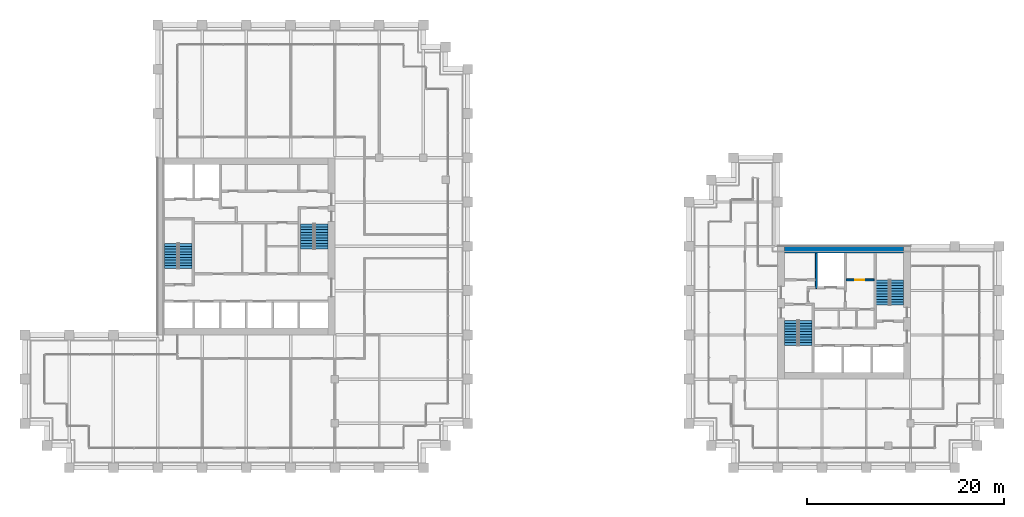
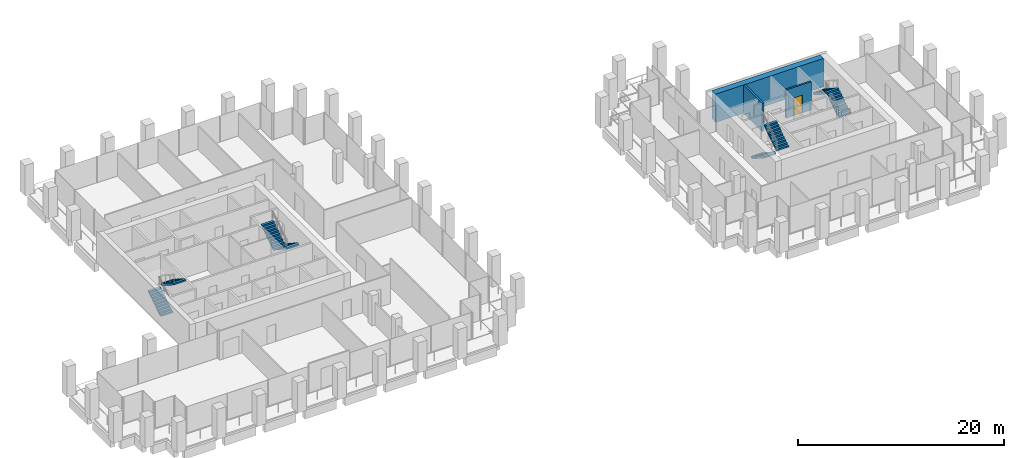
# One storey, part 44 of 46: 8 stair flights, 3 walls, 1 door, 1 opening, 4 elements without a shape of their own.
"""IFC4 building model written with IfcOpenShell, lengths in metres."""

from ifc_helpers import new_model, si_unit, direction, frame, frame_2d, origin, place, context, subcontext, project, spatial, polyline, rectangle, outline, extrude, material, layer, layer_set, type_object, element, fill, aggregate, save


model = new_model("IFC4")

# Units and contexts
model_context = context("Model", 3, precision=1e-05, world=origin(), true_north=direction((0.0, 1.0)))
body_context = subcontext(model_context, "Body", "Model", "MODEL_VIEW")
ifc_project = project(units=[si_unit("LENGTHUNIT", "METRE"), si_unit("AREAUNIT", "SQUARE_METRE"), si_unit("VOLUMEUNIT", "CUBIC_METRE"), si_unit("PLANEANGLEUNIT", "RADIAN"), si_unit("MASSUNIT", "GRAM", prefix="KILO")], contexts=[model_context])

# Site, building, storey
site_placement = place(None, origin())
site = spatial("IfcSite", under=ifc_project, at=site_placement, CompositionType="ELEMENT")
building_placement = place(site_placement, origin())
building = spatial("IfcBuilding", under=site, at=building_placement, Name="Altepetl Exchange Towers", CompositionType="ELEMENT")
storey_placement = place(building_placement, frame((0.0, 0.0, 128.0)))
storey = spatial("IfcBuildingStorey", under=building, at=storey_placement, Name="L31", CompositionType="ELEMENT", Elevation=128.0)

# Walls
ifc_material_1 = material(Name="Concrete C70/85", Category="concrete")
ifc_layer_1 = layer(ifc_material_1, 0.699951171875)
ifc_layer_set_1 = layer_set([ifc_layer_1], Name="Concrete C70/85")
wall_type_1 = type_object("IfcWallType", Name="Core wall 700 reinforced concrete external", PredefinedType="SHEAR", material=ifc_layer_set_1)
wall_1_placement = place(storey_placement, frame((104.199951171875, 49.14990234375, 0.0)))
element("IfcWall", 1, at=wall_1_placement, inside=storey, type_object=wall_type_1, Name="wall:B:L31:K-coreN", PredefinedType="SHEAR", context=body_context, shape_type="SweptSolid", body=[
    extrude(rectangle(XDim=12.10009765625, YDim=0.699951171875, at=frame_2d((6.050048828125, 0.0))), origin(), (0.0, 0.0, 1.0), 3.35009765625),
])
ifc_material_2 = material(Name="Concrete C40/50", Category="concrete")
ifc_layer_2 = layer(ifc_material_2, 0.199951171875)
ifc_layer_set_2 = layer_set([ifc_layer_2], Name="Concrete C40/50")
wall_type_2 = type_object("IfcWallType", Name="Shaft wall 200 reinforced concrete", PredefinedType="SHEAR", material=ifc_layer_set_2)
wall_2_placement = place(storey_placement, frame((107.433349609375, 48.800048828125, 0.0), z_axis=(0.0, 0.0, 1.0), x_axis=(0.0, -1.0, 0.0)))
element("IfcWall", 2, at=wall_2_placement, inside=storey, type_object=wall_type_2, Name="wall:B:L31:K-divN1", PredefinedType="SHEAR", context=body_context, shape_type="SweptSolid", body=[
    extrude(rectangle(XDim=3.60009765625, YDim=0.199951171875, at=frame_2d((1.800048828125, 0.0))), origin(), (0.0, 0.0, 1.0), 3.35009765625),
])

# Wall, opening, door
wall_3_placement = place(storey_placement, frame((110.466796875, 46.10009765625, 0.0)))
wall_3 = element("IfcWall", 3, at=wall_3_placement, inside=storey, type_object=wall_type_2, Name="wall:B:L31:K-frontNb", PredefinedType="SHEAR", context=body_context, shape_type="SweptSolid", body=[
    extrude(rectangle(XDim=2.833251953125, YDim=0.199951171875, at=frame_2d((1.41650390625, 0.0))), origin(), (0.0, 0.0, 1.0), 3.35009765625),
])
opening_placement = place(wall_3_placement, frame((0.91650390625, 0.0, 0.0)))
opening = element("IfcOpeningElement", 4, at=opening_placement, cuts=wall_3, Name="Opening L31.B69", PredefinedType="OPENING", context=body_context, shape_type="SweptSolid", body=[
    extrude(rectangle(XDim=0.89990234375, YDim=2.10009765625, at=frame_2d((0.449951171875, 1.050048828125))), frame((0.0, 0.10986328125, 0.0), z_axis=(0.0, -1.0, 0.0), x_axis=(1.0, 0.0, 0.0)), (0.0, 0.0, 1.0), 0.219970703125),
])
ifc_material_3 = material(Name="Steel and timber fire door", Category="steel")
door_type = type_object("IfcDoorType", Name="Fire door 900 x 2100 service room", OperationType="SINGLE_SWING_LEFT", PredefinedType="DOOR", material=ifc_material_3)
door_placement = place(opening_placement, origin())
door = element("IfcDoor", 5, at=door_placement, inside=storey, type_object=door_type, Name="door:B:L31:K-dslotN2", OperationType="SINGLE_SWING_RIGHT", OverallHeight=2.10009765625, OverallWidth=0.89990234375, PredefinedType="DOOR", context=body_context, shape_type="SweptSolid", body=[
    extrude(rectangle(XDim=0.89990234375, YDim=2.10009765625, at=frame_2d((0.449951171875, 1.050048828125))), frame((0.0, 0.02490234375, 0.0), z_axis=(0.0, -1.0, 0.0), x_axis=(1.0, 0.0, 0.0)), (0.0, 0.0, 1.0), 0.050048828125),
])
fill(opening, door)

# Stair, stair flights
stair_type = type_object("IfcStairType", Name="Exit stair 1350 flights dogleg", PredefinedType="HALF_TURN_STAIR", material=ifc_material_2)
stair_1_placement = place(storey_placement, origin())
stair_1 = element("IfcStair", 6, at=stair_1_placement, inside=storey, type_object=stair_type, Name="Exit stair 1", PredefinedType="HALF_TURN_STAIR")
stair_flight_type = type_object("IfcStairFlightType", Name="Stair flight 1350 wide", PredefinedType="STRAIGHT", material=ifc_material_2)
stair_flight_1_placement = place(storey_placement, frame((41.875, 47.25, 0.0), z_axis=(0.0, 0.0, 1.0), x_axis=(0.0, 1.0, 0.0)))
stair_flight_1 = element("IfcStairFlight", 7, at=stair_flight_1_placement, type_object=stair_flight_type, Name="ST-A1d flight 1", NumberOfRisers=10, NumberOfTreads=9, PredefinedType="STRAIGHT", RiserHeight=0.18, TreadLength=0.28, context=body_context, shape_type="SweptSolid", body=[
    extrude(outline(polyline([(0.0, 0.0), (0.0, 0.179931640625), (0.280029296875, 0.179931640625), (0.280029296875, 0.360107421875), (0.56005859375, 0.360107421875), (0.56005859375, 0.5400390625), (0.840087890625, 0.5400390625), (0.840087890625, 0.719970703125), (1.1201171875, 0.719970703125), (1.1201171875, 0.89990234375), (1.39990234375, 0.89990234375), (1.39990234375, 1.080078125), (1.679931640625, 1.080078125), (1.679931640625, 1.260009765625), (1.9599609375, 1.260009765625), (1.9599609375, 1.43994140625), (2.239990234375, 1.43994140625), (2.239990234375, 1.6201171875), (2.52001953125, 1.6201171875), (2.52001953125, 1.800048828125), (2.52001953125, 1.44189453125), (0.277099609375, 0.0), (0.0, 0.0)])), frame((0.0, 0.675048828125, 0.0), z_axis=(0.0, -1.0, 0.0), x_axis=(1.0, 0.0, 0.0)), (0.0, 0.0, 1.0), 1.35009765625),
])
stair_flight_2_placement = place(storey_placement, frame((43.324951171875, 49.77001953125, 1.800048828125), z_axis=(0.0, 0.0, 1.0), x_axis=(0.0, -1.0, 0.0)))
stair_flight_2 = element("IfcStairFlight", 8, at=stair_flight_2_placement, type_object=stair_flight_type, Name="ST-A1d flight 2", NumberOfRisers=10, NumberOfTreads=9, PredefinedType="STRAIGHT", RiserHeight=0.18, TreadLength=0.28, context=body_context, shape_type="SweptSolid", body=[
    extrude(outline(polyline([(0.0, 0.0), (0.0, 0.179931640625), (0.280029296875, 0.179931640625), (0.280029296875, 0.360107421875), (0.56005859375, 0.360107421875), (0.56005859375, 0.5400390625), (0.840087890625, 0.5400390625), (0.840087890625, 0.719970703125), (1.1201171875, 0.719970703125), (1.1201171875, 0.89990234375), (1.39990234375, 0.89990234375), (1.39990234375, 1.080078125), (1.679931640625, 1.080078125), (1.679931640625, 1.260009765625), (1.9599609375, 1.260009765625), (1.9599609375, 1.43994140625), (2.239990234375, 1.43994140625), (2.239990234375, 1.6201171875), (2.52001953125, 1.6201171875), (2.52001953125, 1.800048828125), (2.52001953125, 1.44189453125), (0.277099609375, 0.0), (0.0, 0.0)])), frame((0.0, 0.675048828125, 0.0), z_axis=(0.0, -1.0, 0.0), x_axis=(1.0, 0.0, 0.0)), (0.0, 0.0, 1.0), 1.35009765625),
])
aggregate(stair_1, [stair_flight_1, stair_flight_2])

stair_2_placement = place(storey_placement, origin())
stair_2 = element("IfcStair", 9, at=stair_2_placement, inside=storey, type_object=stair_type, Name="Exit stair 2", PredefinedType="HALF_TURN_STAIR")
stair_flight_3_placement = place(storey_placement, frame((57.125, 51.75, 0.0), z_axis=(0.0, 0.0, 1.0), x_axis=(0.0, -1.0, 0.0)))
stair_flight_3 = element("IfcStairFlight", 10, at=stair_flight_3_placement, type_object=stair_flight_type, Name="ST-A2d flight 1", NumberOfRisers=10, NumberOfTreads=9, PredefinedType="STRAIGHT", RiserHeight=0.18, TreadLength=0.28, context=body_context, shape_type="SweptSolid", body=[
    extrude(outline(polyline([(0.0, 0.0), (0.0, 0.179931640625), (0.280029296875, 0.179931640625), (0.280029296875, 0.360107421875), (0.56005859375, 0.360107421875), (0.56005859375, 0.5400390625), (0.840087890625, 0.5400390625), (0.840087890625, 0.719970703125), (1.1201171875, 0.719970703125), (1.1201171875, 0.89990234375), (1.39990234375, 0.89990234375), (1.39990234375, 1.080078125), (1.679931640625, 1.080078125), (1.679931640625, 1.260009765625), (1.9599609375, 1.260009765625), (1.9599609375, 1.43994140625), (2.239990234375, 1.43994140625), (2.239990234375, 1.6201171875), (2.52001953125, 1.6201171875), (2.52001953125, 1.800048828125), (2.52001953125, 1.44189453125), (0.277099609375, 0.0), (0.0, 0.0)])), frame((0.0, 0.675048828125, 0.0), z_axis=(0.0, -1.0, 0.0), x_axis=(1.0, 0.0, 0.0)), (0.0, 0.0, 1.0), 1.35009765625),
])
stair_flight_4_placement = place(storey_placement, frame((55.675048828125, 49.22998046875, 1.800048828125), z_axis=(0.0, 0.0, 1.0), x_axis=(0.0, 1.0, 0.0)))
stair_flight_4 = element("IfcStairFlight", 11, at=stair_flight_4_placement, type_object=stair_flight_type, Name="ST-A2d flight 2", NumberOfRisers=10, NumberOfTreads=9, PredefinedType="STRAIGHT", RiserHeight=0.18, TreadLength=0.28, context=body_context, shape_type="SweptSolid", body=[
    extrude(outline(polyline([(0.0, 0.0), (0.0, 0.179931640625), (0.280029296875, 0.179931640625), (0.280029296875, 0.360107421875), (0.56005859375, 0.360107421875), (0.56005859375, 0.5400390625), (0.840087890625, 0.5400390625), (0.840087890625, 0.719970703125), (1.1201171875, 0.719970703125), (1.1201171875, 0.89990234375), (1.39990234375, 0.89990234375), (1.39990234375, 1.080078125), (1.679931640625, 1.080078125), (1.679931640625, 1.260009765625), (1.9599609375, 1.260009765625), (1.9599609375, 1.43994140625), (2.239990234375, 1.43994140625), (2.239990234375, 1.6201171875), (2.52001953125, 1.6201171875), (2.52001953125, 1.800048828125), (2.52001953125, 1.44189453125), (0.277099609375, 0.0), (0.0, 0.0)])), frame((0.0, 0.675048828125, 0.0), z_axis=(0.0, -1.0, 0.0), x_axis=(1.0, 0.0, 0.0)), (0.0, 0.0, 1.0), 1.35009765625),
])
aggregate(stair_2, [stair_flight_3, stair_flight_4])

stair_3_placement = place(storey_placement, origin())
stair_3 = element("IfcStair", 12, at=stair_3_placement, inside=storey, type_object=stair_type, Name="Exit stair 1", PredefinedType="HALF_TURN_STAIR")
stair_flight_5_placement = place(storey_placement, frame((104.875, 41.949951171875, 0.0), z_axis=(0.0, 0.0, 1.0), x_axis=(0.0, -1.0, 0.0)))
stair_flight_5 = element("IfcStairFlight", 13, at=stair_flight_5_placement, type_object=stair_flight_type, Name="ST-B1d flight 1", NumberOfRisers=10, NumberOfTreads=9, PredefinedType="STRAIGHT", RiserHeight=0.18, TreadLength=0.28, context=body_context, shape_type="SweptSolid", body=[
    extrude(outline(polyline([(0.0, 0.0), (0.0, 0.179931640625), (0.280029296875, 0.179931640625), (0.280029296875, 0.360107421875), (0.56005859375, 0.360107421875), (0.56005859375, 0.5400390625), (0.840087890625, 0.5400390625), (0.840087890625, 0.719970703125), (1.1201171875, 0.719970703125), (1.1201171875, 0.89990234375), (1.39990234375, 0.89990234375), (1.39990234375, 1.080078125), (1.679931640625, 1.080078125), (1.679931640625, 1.260009765625), (1.9599609375, 1.260009765625), (1.9599609375, 1.43994140625), (2.239990234375, 1.43994140625), (2.239990234375, 1.6201171875), (2.52001953125, 1.6201171875), (2.52001953125, 1.800048828125), (2.52001953125, 1.44189453125), (0.277099609375, 0.0), (0.0, 0.0)])), frame((0.0, 0.675048828125, 0.0), z_axis=(0.0, -1.0, 0.0), x_axis=(1.0, 0.0, 0.0)), (0.0, 0.0, 1.0), 1.35009765625),
])
stair_flight_6_placement = place(storey_placement, frame((106.324951171875, 39.429931640625, 1.800048828125), z_axis=(0.0, 0.0, 1.0), x_axis=(0.0, 1.0, 0.0)))
stair_flight_6 = element("IfcStairFlight", 14, at=stair_flight_6_placement, type_object=stair_flight_type, Name="ST-B1d flight 2", NumberOfRisers=10, NumberOfTreads=9, PredefinedType="STRAIGHT", RiserHeight=0.18, TreadLength=0.28, context=body_context, shape_type="SweptSolid", body=[
    extrude(outline(polyline([(0.0, 0.0), (0.0, 0.179931640625), (0.280029296875, 0.179931640625), (0.280029296875, 0.360107421875), (0.56005859375, 0.360107421875), (0.56005859375, 0.5400390625), (0.840087890625, 0.5400390625), (0.840087890625, 0.719970703125), (1.1201171875, 0.719970703125), (1.1201171875, 0.89990234375), (1.39990234375, 0.89990234375), (1.39990234375, 1.080078125), (1.679931640625, 1.080078125), (1.679931640625, 1.260009765625), (1.9599609375, 1.260009765625), (1.9599609375, 1.43994140625), (2.239990234375, 1.43994140625), (2.239990234375, 1.6201171875), (2.52001953125, 1.6201171875), (2.52001953125, 1.800048828125), (2.52001953125, 1.44189453125), (0.277099609375, 0.0), (0.0, 0.0)])), frame((0.0, 0.675048828125, 0.0), z_axis=(0.0, -1.0, 0.0), x_axis=(1.0, 0.0, 0.0)), (0.0, 0.0, 1.0), 1.35009765625),
])
aggregate(stair_3, [stair_flight_5, stair_flight_6])

stair_4_placement = place(storey_placement, origin())
stair_4 = element("IfcStair", 15, at=stair_4_placement, inside=storey, type_object=stair_type, Name="Exit stair 2", PredefinedType="HALF_TURN_STAIR")
stair_flight_7_placement = place(storey_placement, frame((115.625, 43.550048828125, 0.0), z_axis=(0.0, 0.0, 1.0), x_axis=(0.0, 1.0, 0.0)))
stair_flight_7 = element("IfcStairFlight", 16, at=stair_flight_7_placement, type_object=stair_flight_type, Name="ST-B2d flight 1", NumberOfRisers=10, NumberOfTreads=9, PredefinedType="STRAIGHT", RiserHeight=0.18, TreadLength=0.28, context=body_context, shape_type="SweptSolid", body=[
    extrude(outline(polyline([(0.0, 0.0), (0.0, 0.179931640625), (0.280029296875, 0.179931640625), (0.280029296875, 0.360107421875), (0.56005859375, 0.360107421875), (0.56005859375, 0.5400390625), (0.840087890625, 0.5400390625), (0.840087890625, 0.719970703125), (1.1201171875, 0.719970703125), (1.1201171875, 0.89990234375), (1.39990234375, 0.89990234375), (1.39990234375, 1.080078125), (1.679931640625, 1.080078125), (1.679931640625, 1.260009765625), (1.9599609375, 1.260009765625), (1.9599609375, 1.43994140625), (2.239990234375, 1.43994140625), (2.239990234375, 1.6201171875), (2.52001953125, 1.6201171875), (2.52001953125, 1.800048828125), (2.52001953125, 1.44189453125), (0.277099609375, 0.0), (0.0, 0.0)])), frame((0.0, 0.675048828125, 0.0), z_axis=(0.0, -1.0, 0.0), x_axis=(1.0, 0.0, 0.0)), (0.0, 0.0, 1.0), 1.35009765625),
])
stair_flight_8_placement = place(storey_placement, frame((114.175048828125, 46.070068359375, 1.800048828125), z_axis=(0.0, 0.0, 1.0), x_axis=(0.0, -1.0, 0.0)))
stair_flight_8 = element("IfcStairFlight", 17, at=stair_flight_8_placement, type_object=stair_flight_type, Name="ST-B2d flight 2", NumberOfRisers=10, NumberOfTreads=9, PredefinedType="STRAIGHT", RiserHeight=0.18, TreadLength=0.28, context=body_context, shape_type="SweptSolid", body=[
    extrude(outline(polyline([(0.0, 0.0), (0.0, 0.179931640625), (0.280029296875, 0.179931640625), (0.280029296875, 0.360107421875), (0.56005859375, 0.360107421875), (0.56005859375, 0.5400390625), (0.840087890625, 0.5400390625), (0.840087890625, 0.719970703125), (1.1201171875, 0.719970703125), (1.1201171875, 0.89990234375), (1.39990234375, 0.89990234375), (1.39990234375, 1.080078125), (1.679931640625, 1.080078125), (1.679931640625, 1.260009765625), (1.9599609375, 1.260009765625), (1.9599609375, 1.43994140625), (2.239990234375, 1.43994140625), (2.239990234375, 1.6201171875), (2.52001953125, 1.6201171875), (2.52001953125, 1.800048828125), (2.52001953125, 1.44189453125), (0.277099609375, 0.0), (0.0, 0.0)])), frame((0.0, 0.675048828125, 0.0), z_axis=(0.0, -1.0, 0.0), x_axis=(1.0, 0.0, 0.0)), (0.0, 0.0, 1.0), 1.35009765625),
])
aggregate(stair_4, [stair_flight_7, stair_flight_8])

save(model, "model.ifc")
